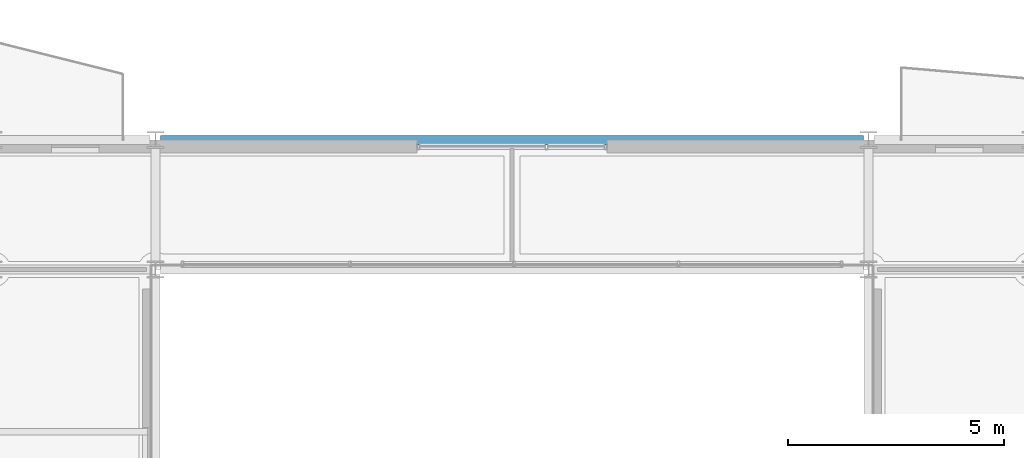
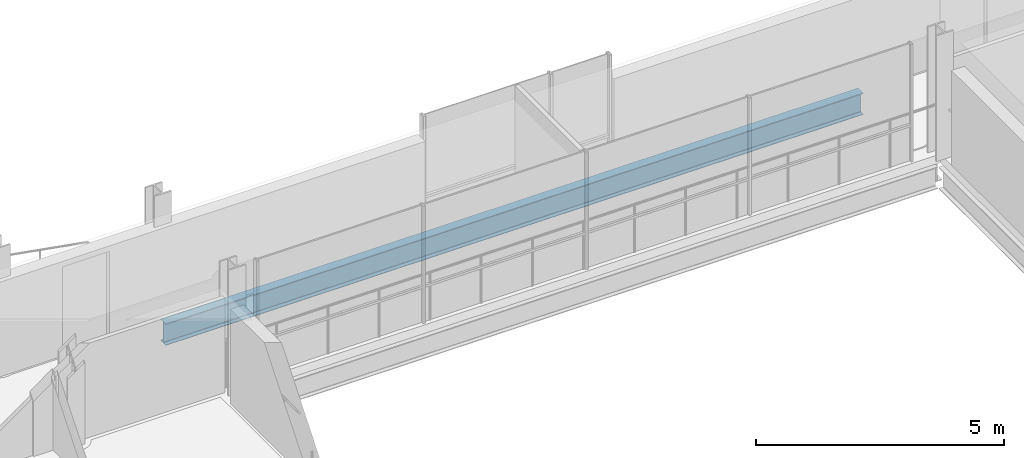
# One storey, part 12 of 38: 1 beam.
"""IFC4 building model written with IfcOpenShell, lengths in metres."""

from ifc_helpers import new_model, si_unit, direction, frame, origin, origin_2d, place, context, subcontext, project, spatial, i_section, extrude, material, material_profile, profile_set, type_object, element, save


model = new_model("IFC4")

# Units and contexts
model_context = context("Model", 3, precision=1e-05, world=origin(), true_north=direction((0.0, 1.0)))
body_context = subcontext(model_context, "Body", "Model", "MODEL_VIEW")
ifc_project = project(units=[si_unit("LENGTHUNIT", "METRE"), si_unit("AREAUNIT", "SQUARE_METRE"), si_unit("VOLUMEUNIT", "CUBIC_METRE"), si_unit("PLANEANGLEUNIT", "RADIAN"), si_unit("MASSUNIT", "GRAM", prefix="KILO")], contexts=[model_context])

# Site, building, storey
site_placement = place(None, origin())
site = spatial("IfcSite", under=ifc_project, at=site_placement, CompositionType="ELEMENT")
building_placement = place(site_placement, origin())
building = spatial("IfcBuilding", under=site, at=building_placement, Name="Brevholm Reach", CompositionType="ELEMENT")
storey_placement = place(building_placement, frame((0.0, 0.0, 186.300048828125)))
storey = spatial("IfcBuildingStorey", under=building, at=storey_placement, Name="L56", CompositionType="ELEMENT", Elevation=186.300048828125)

# Beam
ifc_material = material(Name="Structural Steel S355J2", Category="steel")
ifc_material_profile = material_profile(ifc_material, i_section(OverallWidth=0.209228515625, OverallDepth=0.533203125, WebThickness=0.010009765625, FlangeThickness=0.015625, FilletRadius=0.0126953125, at=origin_2d()), Name="UKB 533x210x92")
ifc_profile_set = profile_set([ifc_material_profile], Name="Structural Steel S355J2")
beam_type = type_object("IfcBeamType", Name="BM-SP533", PredefinedType="SPANDREL", material=ifc_profile_set)
beam_placement = place(storey_placement, frame((21.8701171875, 26.5, -0.4765625), z_axis=(1.0, 0.0, 0.0), x_axis=(0.0, 1.0, 0.0)))
element("IfcBeam", 1, at=beam_placement, inside=storey, type_object=beam_type, Name="L56 SP-02 Framing Beam", PredefinedType="SPANDREL", context=body_context, shape_type="SweptSolid", body=[
    extrude(i_section(OverallWidth=0.209228515625, OverallDepth=0.533203125, WebThickness=0.010009765625, FlangeThickness=0.015625, FilletRadius=0.0126953125, at=origin_2d()), origin(), (0.0, 0.0, 1.0), 16.259765625),
])

save(model, "model.ifc")
